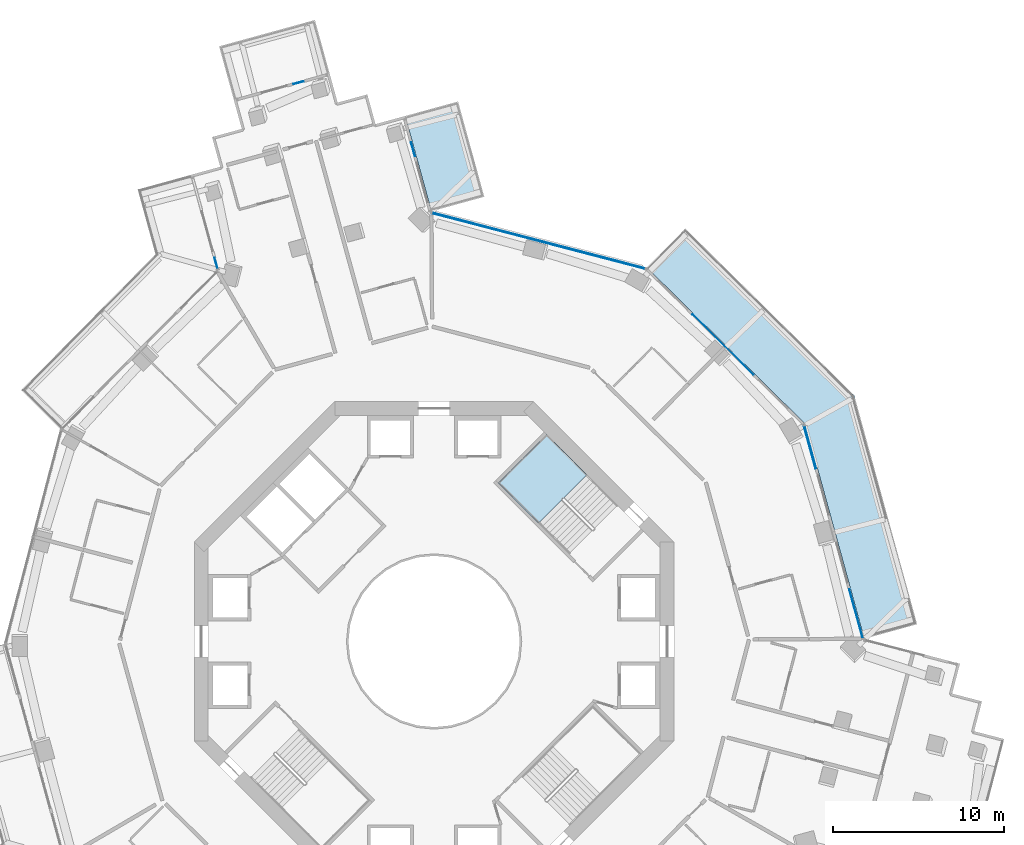
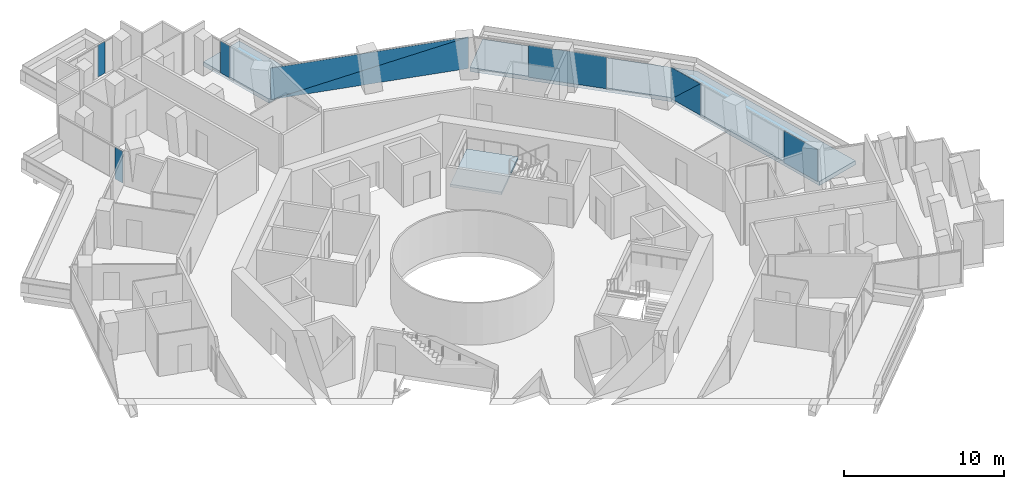
# One storey, part 16 of 26: 9 plates, 3 slabs, 7 elements without a shape of their own.
"""IFC4 building model written with IfcOpenShell, lengths in metres."""

from ifc_helpers import new_model, si_unit, direction, frame, origin, origin_2d, place, context, subcontext, project, spatial, polyline, rectangle, outline, extrude, material, layer, layer_set, type_object, element, aggregate, save


model = new_model("IFC4")

# Units and contexts
model_context = context("Model", 3, precision=1e-05, world=origin(), true_north=direction((0.0, 1.0)))
body_context = subcontext(model_context, "Body", "Model", "MODEL_VIEW")
ifc_project = project(units=[si_unit("LENGTHUNIT", "METRE"), si_unit("AREAUNIT", "SQUARE_METRE"), si_unit("VOLUMEUNIT", "CUBIC_METRE"), si_unit("PLANEANGLEUNIT", "RADIAN"), si_unit("MASSUNIT", "GRAM", prefix="KILO")], contexts=[model_context])

# Site, building, storey
site_placement = place(None, origin())
site = spatial("IfcSite", under=ifc_project, at=site_placement, CompositionType="ELEMENT")
building_placement = place(site_placement, origin())
building = spatial("IfcBuilding", under=site, at=building_placement, Name="Verdalira Terraces Hotel", CompositionType="ELEMENT")
storey_placement = place(building_placement, frame((0.0, 0.0, 96.5)))
storey = spatial("IfcBuildingStorey", under=building, at=storey_placement, Name="L22", CompositionType="ELEMENT", Elevation=96.5)

# Slabs
ifc_material_1 = material(Name="Precast concrete C40/50", Category="concrete")
ifc_layer_1 = layer(ifc_material_1, 0.31005859375)
ifc_layer_set_1 = layer_set([ifc_layer_1], Name="Balcony deck 310")
slab_type_1 = type_object("IfcSlabType", Name="Balcony deck 310", PredefinedType="FLOOR", material=ifc_layer_set_1)
slab_1_placement = place(storey_placement, frame((0.0, 0.0, -0.310059)))
element("IfcSlab", 1, at=slab_1_placement, inside=storey, type_object=slab_type_1, Name="Balcony deck", PredefinedType="FLOOR", context=body_context, shape_type="SweptSolid", body=[
    extrude(outline(polyline([(14.668701, 24.104736), (12.420166, 21.827881), (21.670166, 12.693359), (25.113525, 0.157715), (28.199219, 1.005371), (24.528564, 14.36792), (14.668701, 24.104736)])), origin(), (0.0, 0.0, 1.0), 0.310059),
])
slab_2_placement = place(storey_placement, frame((0.0, 0.0, -0.310059)))
element("IfcSlab", 2, at=slab_2_placement, inside=storey, type_object=slab_type_1, Name="Balcony deck", PredefinedType="FLOOR", context=body_context, shape_type="SweptSolid", body=[
    extrude(outline(polyline([(1.399414, 31.525391), (-1.686279, 30.677734), (-0.157715, 25.113525), (2.927979, 25.961182), (1.399414, 31.525391)])), origin(), (0.0, 0.0, 1.0), 0.310059),
])

# Curtain wall, plates
ifc_material_2 = material(Name="Clear glass", Category="glass")
ifc_layer_2 = layer(ifc_material_2, 0.14990234375)
ifc_layer_set_2 = layer_set([ifc_layer_2], Name="CW1 curtain wall")
curtain_wall_type_1 = type_object("IfcCurtainWallType", Name="CW1 curtain wall", PredefinedType="NOTDEFINED", material=ifc_layer_set_2)
curtain_wall_1_placement = place(storey_placement, origin())
curtain_wall_1 = element("IfcCurtainWall", 3, at=curtain_wall_1_placement, inside=storey, type_object=curtain_wall_type_1, Name="CW1 curtain wall L22 edge 39", PredefinedType="NOTDEFINED")
ifc_material_3 = material(Name="Clear glass", Category="glass")
ifc_layer_3 = layer(ifc_material_3, 0.028076171875)
ifc_layer_set_3 = layer_set([ifc_layer_3], Name="CW1 glass unit 28")
plate_type_1 = type_object("IfcPlateType", Name="CW1 glass unit 28", PredefinedType="CURTAIN_PANEL", material=ifc_layer_set_3)
plate_1_placement = place(storey_placement, frame((24.632568, 1.625244, 0.0), z_axis=(0.0, 0.0, 1.0), x_axis=(-0.264882987, 0.964280562, 0.0)))
plate_1 = element("IfcPlate", 4, at=plate_1_placement, type_object=plate_type_1, Name="CW1 glass unit", PredefinedType="CURTAIN_PANEL", context=body_context, shape_type="SweptSolid", body=[
    extrude(rectangle(XDim=2.965088, YDim=0.028076, at=origin_2d()), origin(), (0.0, 0.0, 1.0), 2.425049),
])
plate_2_placement = place(storey_placement, frame((21.950439, 11.336914, 1.212402), z_axis=(0.964280562, 0.264882987, 0.0), x_axis=(-0.264882987, 0.964280562, 0.0)))
plate_2 = element("IfcPlate", 5, at=plate_2_placement, type_object=plate_type_1, Name="CW1 glass unit", PredefinedType="CURTAIN_PANEL", context=body_context, shape_type="SweptSolid", body=[
    extrude(outline(polyline([(-1.282227, -1.212402), (1.282227, -1.212402), (-1.282227, 1.212402), (-1.282227, -1.212402)])), origin(), (0.0, 0.0, 1.0), 0.028076),
])
plate_3_placement = place(storey_placement, frame((21.922363, 11.329102, 1.212402), z_axis=(0.964280562, 0.264882987, 0.0), x_axis=(-0.264882987, 0.964280562, 0.0)))
plate_3 = element("IfcPlate", 6, at=plate_3_placement, type_object=plate_type_1, Name="CW1 glass unit", PredefinedType="CURTAIN_PANEL", context=body_context, shape_type="SweptSolid", body=[
    extrude(outline(polyline([(1.282227, -1.212402), (1.282227, 1.212402), (-1.282227, 1.212402), (1.282227, -1.212402)])), origin(), (0.0, 0.0, 1.0), 0.028076),
])
aggregate(curtain_wall_1, [plate_1, plate_2, plate_3])

# Curtain wall, plate
curtain_wall_2_placement = place(storey_placement, origin())
curtain_wall_2 = element("IfcCurtainWall", 7, at=curtain_wall_2_placement, inside=storey, type_object=curtain_wall_type_1, Name="CW1 curtain wall L22 edge 40", PredefinedType="NOTDEFINED")
plate_4_placement = place(storey_placement, frame((16.865234, 17.333008, 0.0), z_axis=(0.0, 0.0, 1.0), x_axis=(-0.711535677, 0.70264997, 0.0)))
plate_4 = element("IfcPlate", 8, at=plate_4_placement, type_object=plate_type_1, Name="CW1 glass unit", PredefinedType="CURTAIN_PANEL", context=body_context, shape_type="SweptSolid", body=[
    extrude(rectangle(XDim=5.021729, YDim=0.028076, at=origin_2d()), origin(), (0.0, 0.0, 1.0), 2.425049),
])
aggregate(curtain_wall_2, [plate_4])

# Curtain wall, plates
curtain_wall_3_placement = place(storey_placement, origin())
curtain_wall_3 = element("IfcCurtainWall", 9, at=curtain_wall_3_placement, inside=storey, type_object=curtain_wall_type_1, Name="CW1 curtain wall L22 edge 41", PredefinedType="NOTDEFINED")
plate_5_placement = place(storey_placement, frame((6.089111, 23.389648, 1.212402), z_axis=(0.252744885, 0.967532957, 0.0), x_axis=(-0.967532957, 0.252744885, 0.0)))
plate_5 = element("IfcPlate", 10, at=plate_5_placement, type_object=plate_type_1, Name="CW1 glass unit", PredefinedType="CURTAIN_PANEL", context=body_context, shape_type="SweptSolid", body=[
    extrude(outline(polyline([(-6.419922, -1.212402), (6.419922, -1.212402), (-6.419922, 1.212402), (-6.419922, -1.212402)])), origin(), (0.0, 0.0, 1.0), 0.028076),
])
plate_6_placement = place(storey_placement, frame((6.081787, 23.361572, 1.212402), z_axis=(0.252744885, 0.967532957, 0.0), x_axis=(-0.967532957, 0.252744885, 0.0)))
plate_6 = element("IfcPlate", 11, at=plate_6_placement, type_object=plate_type_1, Name="CW1 glass unit", PredefinedType="CURTAIN_PANEL", context=body_context, shape_type="SweptSolid", body=[
    extrude(outline(polyline([(6.419922, -1.212402), (6.419922, 1.212402), (-6.419922, 1.212402), (6.419922, -1.212402)])), origin(), (0.0, 0.0, 1.0), 0.028076),
])
aggregate(curtain_wall_3, [plate_5, plate_6])

# Curtain wall, plate
ifc_material_4 = material(Name="Clear glass", Category="glass")
ifc_layer_4 = layer(ifc_material_4, 0.14990234375)
ifc_layer_set_4 = layer_set([ifc_layer_4], Name="CW2 curtain wall")
curtain_wall_type_2 = type_object("IfcCurtainWallType", Name="CW2 curtain wall", PredefinedType="NOTDEFINED", material=ifc_layer_set_4)
curtain_wall_4_placement = place(storey_placement, origin())
curtain_wall_4 = element("IfcCurtainWall", 12, at=curtain_wall_4_placement, inside=storey, type_object=curtain_wall_type_2, Name="CW2 curtain wall L22 edge 0", PredefinedType="NOTDEFINED")
ifc_material_5 = material(Name="Clear glass", Category="glass")
ifc_layer_5 = layer(ifc_material_5, 0.031982421875)
ifc_layer_set_5 = layer_set([ifc_layer_5], Name="CW2 glass unit 32")
plate_type_2 = type_object("IfcPlateType", Name="CW2 glass unit 32", PredefinedType="CURTAIN_PANEL", material=ifc_layer_set_5)
plate_7_placement = place(storey_placement, frame((-1.229492, 28.732178, 0.0), z_axis=(0.0, 0.0, 1.0), x_axis=(-0.264882987, 0.964280562, 0.0)))
plate_7 = element("IfcPlate", 13, at=plate_7_placement, type_object=plate_type_2, Name="CW2 glass unit", PredefinedType="CURTAIN_PANEL", context=body_context, shape_type="SweptSolid", body=[
    extrude(rectangle(XDim=0.819092, YDim=0.031982, at=origin_2d()), origin(), (0.0, 0.0, 1.0), 2.425049),
])
aggregate(curtain_wall_4, [plate_7])

curtain_wall_5_placement = place(storey_placement, origin())
curtain_wall_5 = element("IfcCurtainWall", 14, at=curtain_wall_5_placement, inside=storey, type_object=curtain_wall_type_2, Name="CW2 curtain wall L22 edge 10", PredefinedType="NOTDEFINED")
plate_8_placement = place(storey_placement, frame((-12.72876, 22.081543, 0.0), z_axis=(0.0, 0.0, 1.0), x_axis=(0.264882987, -0.964280562, 0.0)))
plate_8 = element("IfcPlate", 15, at=plate_8_placement, type_object=plate_type_2, Name="CW2 glass unit", PredefinedType="CURTAIN_PANEL", context=body_context, shape_type="SweptSolid", body=[
    extrude(rectangle(XDim=0.672363, YDim=0.031982, at=origin_2d()), origin(), (0.0, 0.0, 1.0), 2.425049),
])
aggregate(curtain_wall_5, [plate_8])

ifc_material_6 = material(Name="Clear glass", Category="glass")
ifc_layer_6 = layer(ifc_material_6, 0.14990234375)
ifc_layer_set_6 = layer_set([ifc_layer_6], Name="CW3 curtain wall")
curtain_wall_type_3 = type_object("IfcCurtainWallType", Name="CW3 curtain wall", PredefinedType="NOTDEFINED", material=ifc_layer_set_6)
curtain_wall_6_placement = place(storey_placement, origin())
curtain_wall_6 = element("IfcCurtainWall", 16, at=curtain_wall_6_placement, inside=storey, type_object=curtain_wall_type_3, Name="CW3 curtain wall L22 edge 5", PredefinedType="NOTDEFINED")
ifc_material_7 = material(Name="Clear glass", Category="glass")
ifc_layer_7 = layer(ifc_material_7, 0.035888671875)
ifc_layer_set_7 = layer_set([ifc_layer_7], Name="CW3 glass unit 36")
plate_type_3 = type_object("IfcPlateType", Name="CW3 glass unit 36", PredefinedType="CURTAIN_PANEL", material=ifc_layer_set_7)
plate_9_placement = place(storey_placement, frame((-7.921143, 32.620605, 0.0), z_axis=(0.0, 0.0, 1.0), x_axis=(-0.964280562, -0.264882987, 0.0)))
plate_9 = element("IfcPlate", 17, at=plate_9_placement, type_object=plate_type_3, Name="CW3 glass unit", PredefinedType="CURTAIN_PANEL", context=body_context, shape_type="SweptSolid", body=[
    extrude(rectangle(XDim=0.604736, YDim=0.035889, at=origin_2d()), origin(), (0.0, 0.0, 1.0), 2.425049),
])
aggregate(curtain_wall_6, [plate_9])

# Stair, slab
ifc_material_8 = material(Name="Concrete C40", Category="concrete")
stair_type = type_object("IfcStairType", Name="Core stair 20 risers 1950 mm wide", PredefinedType="HALF_TURN_STAIR", material=ifc_material_8)
stair_placement = place(storey_placement, origin())
stair = element("IfcStair", 18, at=stair_placement, inside=storey, type_object=stair_type, Name="L22 Exit stair ST1", PredefinedType="HALF_TURN_STAIR")
ifc_material_9 = material(Name="Concrete C40", Category="concrete")
ifc_layer_8 = layer(ifc_material_9, 0.199951171875)
ifc_layer_set_8 = layer_set([ifc_layer_8], Name="Core stair landing 200 mm")
slab_type_2 = type_object("IfcSlabType", Name="Core stair landing 200 mm", PredefinedType="LANDING", material=ifc_layer_set_8)
slab_3_placement = place(storey_placement, frame((0.0, 0.0, 1.550049)))
slab_3 = element("IfcSlab", 19, at=slab_3_placement, type_object=slab_type_2, Name="ST1 landing 1", PredefinedType="LANDING", context=body_context, shape_type="SweptSolid", body=[
    extrude(outline(polyline([(8.931152, 9.736572), (6.576172, 12.091553), (3.747559, 9.263184), (6.102783, 6.907959), (8.931152, 9.736572)])), origin(), (0.0, 0.0, 1.0), 0.199951),
])
aggregate(stair, [slab_3])

save(model, "model.ifc")
